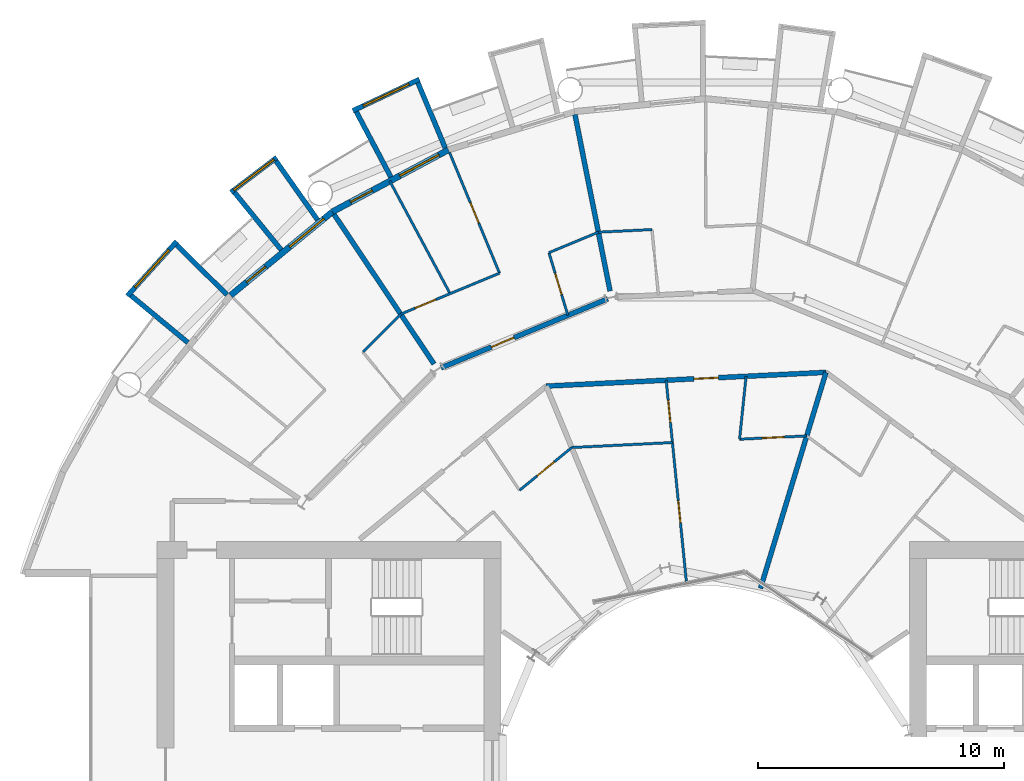
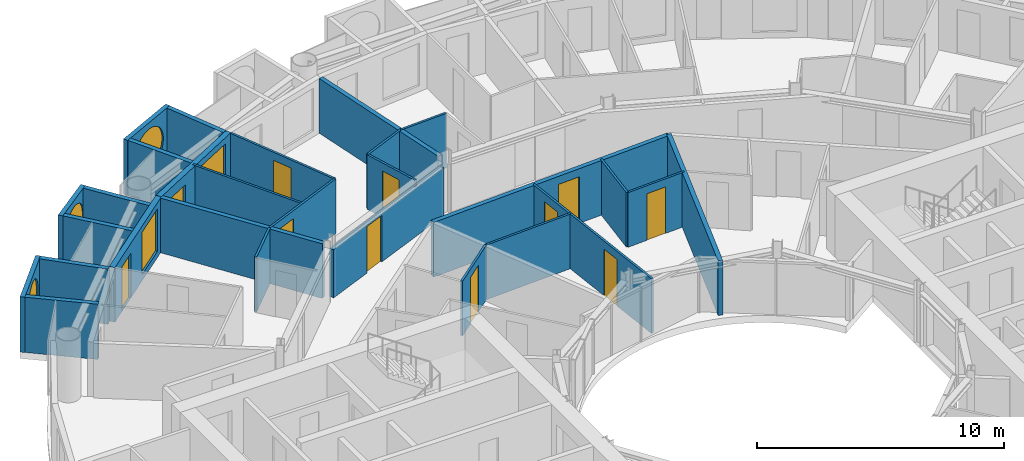
# One storey, part 19 of 26: 28 walls, 11 doors, 5 windows, 16 openings.
"""IFC4 building model written with IfcOpenShell, lengths in metres."""

from ifc_helpers import new_model, si_unit, direction, frame, frame_2d, origin, place, context, subcontext, project, spatial, rectangle, circle, extrude, material, layer, layer_set, type_object, element, fill, save


model = new_model("IFC4")

# Units and contexts
model_context = context("Model", 3, precision=1e-05, world=origin(), true_north=direction((0.0, 1.0)))
body_context = subcontext(model_context, "Body", "Model", "MODEL_VIEW")
ifc_project = project(units=[si_unit("LENGTHUNIT", "METRE"), si_unit("AREAUNIT", "SQUARE_METRE"), si_unit("VOLUMEUNIT", "CUBIC_METRE"), si_unit("PLANEANGLEUNIT", "RADIAN"), si_unit("MASSUNIT", "GRAM", prefix="KILO")], contexts=[model_context])

# Site, building, storey
site_placement = place(None, origin())
site = spatial("IfcSite", under=ifc_project, at=site_placement, CompositionType="ELEMENT")
building_placement = place(site_placement, origin())
building = spatial("IfcBuilding", under=site, at=building_placement, Name="Maasbend Ring Residences", CompositionType="ELEMENT")
storey_placement = place(building_placement, frame((0.0, 0.0, 72.75)))
storey = spatial("IfcBuildingStorey", under=building, at=storey_placement, Name="L20", CompositionType="ELEMENT", Elevation=72.75)

# Wall, opening, door
ifc_material_1 = material(Name="Concrete C30/37", Category="concrete")
ifc_layer_1 = layer(ifc_material_1, 0.199951171875)
ifc_layer_set_1 = layer_set([ifc_layer_1], Name="Concrete C30/37")
wall_type_1 = type_object("IfcWallType", Name="CORRIDOR WALL 200 CONCRETE", PredefinedType="PARTITIONING", material=ifc_layer_set_1)
wall_1_placement = place(storey_placement, frame((-6.468017578125, 15.614013671875, 0.0), z_axis=(0.0, 0.0, 1.0), x_axis=(0.998797695979, 0.049022061427, 0.0)))
wall_1 = element("IfcWall", 1, at=wall_1_placement, inside=storey, type_object=wall_type_1, Name="U-L20-w095", PredefinedType="PARTITIONING", context=body_context, shape_type="SweptSolid", body=[
    extrude(rectangle(XDim=11.384765625, YDim=0.199951171875, at=frame_2d((5.6923828125, 0.0))), origin(), (0.0, 0.0, 1.0), 2.699951171875),
])
opening_1_placement = place(wall_1_placement, frame((6.008056640625, 0.0, 0.0)))
opening_1 = element("IfcOpeningElement", 2, at=opening_1_placement, cuts=wall_1, Name="Opening D-2025", PredefinedType="OPENING", context=body_context, shape_type="SweptSolid", body=[
    extrude(rectangle(XDim=1.0, YDim=2.300048828125, at=frame_2d((0.5, 1.14990234375))), frame((0.0, 0.10986328125, 0.0), z_axis=(0.0, -1.0, 0.0), x_axis=(1.0, 0.0, 0.0)), (0.0, 0.0, 1.0), 0.219970703125),
])
ifc_material_2 = material(Name="Timber, fire-rated, painted", Category="wood")
door_type_1 = type_object("IfcDoorType", Name="FLAT ENTRANCE DOOR 1000 X 2300 FIRE-RATED", OperationType="NOTDEFINED", PredefinedType="DOOR", material=ifc_material_2)
door_1_placement = place(opening_1_placement, origin())
door_1 = element("IfcDoor", 3, at=door_1_placement, inside=storey, type_object=door_type_1, Name="D-2025", OperationType="SINGLE_SWING_RIGHT", OverallHeight=2.300048828125, OverallWidth=1.0, PredefinedType="DOOR", context=body_context, shape_type="SweptSolid", body=[
    extrude(rectangle(XDim=1.0, YDim=2.300048828125, at=frame_2d((0.5, 1.14990234375))), frame((0.0, 0.02490234375, 0.0), z_axis=(0.0, -1.0, 0.0), x_axis=(1.0, 0.0, 0.0)), (0.0, 0.0, 1.0), 0.050048828125),
])
fill(opening_1, door_1)

wall_2_placement = place(storey_placement, frame((-10.7451171875, 16.35693359375, 0.0), z_axis=(0.0, 0.0, 1.0), x_axis=(0.923928411035, 0.382565407848, 0.0)))
wall_2 = element("IfcWall", 4, at=wall_2_placement, inside=storey, type_object=wall_type_1, Name="U-L20-w100", PredefinedType="PARTITIONING", context=body_context, shape_type="SweptSolid", body=[
    extrude(rectangle(XDim=7.335205078125, YDim=0.199951171875, at=frame_2d((3.66748046875, 0.0))), origin(), (0.0, 0.0, 1.0), 2.3798828125),
])
opening_2_placement = place(wall_2_placement, frame((2.2119140625, 0.0, 0.0)))
opening_2 = element("IfcOpeningElement", 5, at=opening_2_placement, cuts=wall_2, Name="Opening D-2013", PredefinedType="OPENING", context=body_context, shape_type="SweptSolid", body=[
    extrude(rectangle(XDim=1.0, YDim=2.300048828125, at=frame_2d((0.5, 1.14990234375))), frame((0.0, 0.10986328125, 0.0), z_axis=(0.0, -1.0, 0.0), x_axis=(1.0, 0.0, 0.0)), (0.0, 0.0, 1.0), 0.219970703125),
])
door_2_placement = place(opening_2_placement, origin())
door_2 = element("IfcDoor", 6, at=door_2_placement, inside=storey, type_object=door_type_1, Name="D-2013", OperationType="SINGLE_SWING_LEFT", OverallHeight=2.300048828125, OverallWidth=1.0, PredefinedType="DOOR", context=body_context, shape_type="SweptSolid", body=[
    extrude(rectangle(XDim=1.0, YDim=2.300048828125, at=frame_2d((0.5, 1.14990234375))), frame((0.0, 0.02490234375, 0.0), z_axis=(0.0, -1.0, 0.0), x_axis=(1.0, 0.0, 0.0)), (0.0, 0.0, 1.0), 0.050048828125),
])
fill(opening_2, door_2)

# Wall, opening, window
ifc_material_3 = material(Name="Pale anodised aluminium panel", Category="aluminium")
ifc_layer_2 = layer(ifc_material_3, 0.199951171875)
ifc_layer_set_2 = layer_set([ifc_layer_2], Name="EW-BOX")
wall_type_2 = type_object("IfcWallType", Name="EW-BOX", PredefinedType="SOLIDWALL", material=ifc_layer_set_2)
wall_3_placement = place(storey_placement, frame((-11.62890625, 28.087890625, -0.030029296875), z_axis=(0.0, 0.0, 1.0), x_axis=(-0.904000060331, -0.427532327342, 0.0)))
wall_3 = element("IfcWall", 7, at=wall_3_placement, inside=storey, type_object=wall_type_2, Name="Box front N15", PredefinedType="SOLIDWALL", context=body_context, shape_type="SweptSolid", body=[
    extrude(rectangle(XDim=2.993408203125, YDim=0.199951171875, at=frame_2d((1.49658203125, 0.0))), origin(), (0.0, 0.0, 1.0), 2.72998046875),
])
opening_3_placement = place(wall_3_placement, frame((0.45654296875, 0.0, 0.330078125)))
opening_3 = element("IfcOpeningElement", 8, at=opening_3_placement, cuts=wall_3, Name="Opening W-RD", PredefinedType="OPENING", context=body_context, shape_type="SweptSolid", body=[
    extrude(circle(Radius=1.0400390625, at=frame_2d((1.0400390625, 1.0400390625))), frame((0.0, 0.10986328125, 0.0), z_axis=(0.0, -1.0, 0.0), x_axis=(1.0, 0.0, 0.0)), (0.0, 0.0, 1.0), 0.219970703125),
])
ifc_material_4 = material(Name="Aluminium and clear glass", Category="aluminium")
window_type_1 = type_object("IfcWindowType", Name="W-RD", PartitioningType="SINGLE_PANEL", PredefinedType="WINDOW", material=ifc_material_4)
window_1_placement = place(opening_3_placement, origin())
window_1 = element("IfcWindow", 9, at=window_1_placement, inside=storey, type_object=window_type_1, Name="Round window N15", OverallHeight=2.080078125, OverallWidth=2.080078125, PartitioningType="SINGLE_PANEL", PredefinedType="WINDOW", context=body_context, shape_type="SweptSolid", body=[
    extrude(circle(Radius=1.0400390625, at=frame_2d((1.0400390625, 1.0400390625))), frame((0.0, 0.030029296875, 0.0), z_axis=(0.0, -1.0, 0.0), x_axis=(1.0, 0.0, 0.0)), (0.0, 0.0, 1.0), 0.06005859375),
])
fill(opening_3, window_1)

# Walls
wall_4_placement = place(storey_placement, frame((-10.574951171875, 25.294921875, -0.030029296875), z_axis=(0.0, 0.0, 1.0), x_axis=(-0.385697364644, 0.922625353492, 0.0)))
element("IfcWall", 10, at=wall_4_placement, inside=storey, type_object=wall_type_2, Name="Box side wall N15 left", PredefinedType="SOLIDWALL", context=body_context, shape_type="SweptSolid", body=[
    extrude(rectangle(XDim=2.88330078125, YDim=0.199951171875, at=frame_2d((1.441650390625, 0.0))), origin(), (0.0, 0.0, 1.0), 2.72998046875),
])
wall_5_placement = place(storey_placement, frame((-12.787109375, 24.113037109375, -0.030029296875), z_axis=(0.0, 0.0, 1.0), x_axis=(-0.468365282436, 0.883534924159, 0.0)))
element("IfcWall", 11, at=wall_5_placement, inside=storey, type_object=wall_type_2, Name="Box side wall N15 right", PredefinedType="SOLIDWALL", context=body_context, shape_type="SweptSolid", body=[
    extrude(rectangle(XDim=3.006103515625, YDim=0.199951171875, at=frame_2d((1.5029296875, 0.0))), origin(), (0.0, 0.0, 1.0), 2.72998046875),
])

# Wall, opening, window
wall_6_placement = place(storey_placement, frame((-17.427001953125, 24.908935546875, -0.030029296875), z_axis=(0.0, 0.0, 1.0), x_axis=(-0.796842165306, -0.60418752353, 0.0)))
wall_6 = element("IfcWall", 12, at=wall_6_placement, inside=storey, type_object=wall_type_2, Name="Box front N17", PredefinedType="SOLIDWALL", context=body_context, shape_type="SweptSolid", body=[
    extrude(rectangle(XDim=2.3369140625, YDim=0.199951171875, at=frame_2d((1.16845703125, 0.0))), origin(), (0.0, 0.0, 1.0), 2.72998046875),
])
opening_4_placement = place(wall_6_placement, frame((0.128173828125, 0.0, 0.330078125)))
opening_4 = element("IfcOpeningElement", 13, at=opening_4_placement, cuts=wall_6, Name="Opening W-RD", PredefinedType="OPENING", context=body_context, shape_type="SweptSolid", body=[
    extrude(circle(Radius=1.0400390625, at=frame_2d((1.0400390625, 1.0400390625))), frame((0.0, 0.10986328125, 0.0), z_axis=(0.0, -1.0, 0.0), x_axis=(1.0, 0.0, 0.0)), (0.0, 0.0, 1.0), 0.219970703125),
])
window_2_placement = place(opening_4_placement, origin())
window_2 = element("IfcWindow", 14, at=window_2_placement, inside=storey, type_object=window_type_1, Name="Round window N17", OverallHeight=2.080078125, OverallWidth=2.080078125, PartitioningType="SINGLE_PANEL", PredefinedType="WINDOW", context=body_context, shape_type="SweptSolid", body=[
    extrude(circle(Radius=1.0400390625, at=frame_2d((1.0400390625, 1.0400390625))), frame((0.0, 0.030029296875, 0.0), z_axis=(0.0, -1.0, 0.0), x_axis=(1.0, 0.0, 0.0)), (0.0, 0.0, 1.0), 0.06005859375),
])
fill(opening_4, window_2)

# Walls
wall_7_placement = place(storey_placement, frame((-15.764892578125, 22.3701171875, -0.030029296875), z_axis=(0.0, 0.0, 1.0), x_axis=(-0.576274612209, 0.817256123454, 0.0)))
element("IfcWall", 15, at=wall_7_placement, inside=storey, type_object=wall_type_2, Name="Box side wall N17 left", PredefinedType="SOLIDWALL", context=body_context, shape_type="SweptSolid", body=[
    extrude(rectangle(XDim=2.932861328125, YDim=0.199951171875, at=frame_2d((1.46630859375, 0.0))), origin(), (0.0, 0.0, 1.0), 2.72998046875),
])
wall_8_placement = place(storey_placement, frame((-17.24609375, 21.155029296875, -0.030029296875), z_axis=(0.0, 0.0, 1.0), x_axis=(-0.631741648902, 0.775179004516, 0.0)))
element("IfcWall", 16, at=wall_8_placement, inside=storey, type_object=wall_type_2, Name="Box side wall N17 right", PredefinedType="SOLIDWALL", context=body_context, shape_type="SweptSolid", body=[
    extrude(rectangle(XDim=3.005859375, YDim=0.199951171875, at=frame_2d((1.5029296875, 0.0))), origin(), (0.0, 0.0, 1.0), 2.72998046875),
])

# Wall, opening, window
wall_9_placement = place(storey_placement, frame((-21.492919921875, 21.5, -0.030029296875), z_axis=(0.0, 0.0, 1.0), x_axis=(-0.671506829416, -0.740998365753, 0.0)))
wall_9 = element("IfcWall", 17, at=wall_9_placement, inside=storey, type_object=wall_type_2, Name="Box front N19", PredefinedType="SOLIDWALL", context=body_context, shape_type="SweptSolid", body=[
    extrude(rectangle(XDim=2.9931640625, YDim=0.199951171875, at=frame_2d((1.49658203125, 0.0))), origin(), (0.0, 0.0, 1.0), 2.72998046875),
])
opening_5_placement = place(wall_9_placement, frame((0.45654296875, 0.0, 0.330078125)))
opening_5 = element("IfcOpeningElement", 18, at=opening_5_placement, cuts=wall_9, Name="Opening W-RD", PredefinedType="OPENING", context=body_context, shape_type="SweptSolid", body=[
    extrude(circle(Radius=1.0400390625, at=frame_2d((1.0400390625, 1.0400390625))), frame((0.0, 0.10986328125, 0.0), z_axis=(0.0, -1.0, 0.0), x_axis=(1.0, 0.0, 0.0)), (0.0, 0.0, 1.0), 0.219970703125),
])
window_3_placement = place(opening_5_placement, origin())
window_3 = element("IfcWindow", 19, at=window_3_placement, inside=storey, type_object=window_type_1, Name="Round window N19", OverallHeight=2.080078125, OverallWidth=2.080078125, PartitioningType="SINGLE_PANEL", PredefinedType="WINDOW", context=body_context, shape_type="SweptSolid", body=[
    extrude(circle(Radius=1.0400390625, at=frame_2d((1.0400390625, 1.0400390625))), frame((0.0, 0.030029296875, 0.0), z_axis=(0.0, -1.0, 0.0), x_axis=(1.0, 0.0, 0.0)), (0.0, 0.0, 1.0), 0.06005859375),
])
fill(opening_5, window_3)

# Walls
wall_10_placement = place(storey_placement, frame((-19.449951171875, 19.322998046875, -0.030029296875), z_axis=(0.0, 0.0, 1.0), x_axis=(-0.709727076896, 0.704476739375, 0.0)))
element("IfcWall", 20, at=wall_10_placement, inside=storey, type_object=wall_type_2, Name="Box side wall N19 left", PredefinedType="SOLIDWALL", context=body_context, shape_type="SweptSolid", body=[
    extrude(rectangle(XDim=2.883056640625, YDim=0.199951171875, at=frame_2d((1.44140625, 0.0))), origin(), (0.0, 0.0, 1.0), 2.72998046875),
])
wall_11_placement = place(storey_placement, frame((-21.041015625, 17.384033203125, -0.030029296875), z_axis=(0.0, 0.0, 1.0), x_axis=(-0.770784861449, 0.63709551667, 0.0)))
element("IfcWall", 21, at=wall_11_placement, inside=storey, type_object=wall_type_2, Name="Box side wall N19 right", PredefinedType="SOLIDWALL", context=body_context, shape_type="SweptSolid", body=[
    extrude(rectangle(XDim=3.005859375, YDim=0.199951171875, at=frame_2d((1.5029296875, 0.0))), origin(), (0.0, 0.0, 1.0), 2.72998046875),
])

# Wall, openings, door, window
ifc_material_5 = material(Name="Aluminium clad insulated panel", Category="aluminium")
ifc_layer_3 = layer(ifc_material_5, 0.25)
ifc_layer_set_3 = layer_set([ifc_layer_3], Name="EW-GL")
wall_type_3 = type_object("IfcWallType", Name="EW-GL", PredefinedType="SOLIDWALL", material=ifc_layer_set_3)
wall_12_placement = place(storey_placement, frame((-10.447021484375, 25.221923828125, 0.0), z_axis=(0.0, 0.0, 1.0), x_axis=(-0.881915646801, -0.471407246368, 0.0)))
wall_12 = element("IfcWall", 22, at=wall_12_placement, inside=storey, type_object=wall_type_3, Name="External wall N08", PredefinedType="SOLIDWALL", context=body_context, shape_type="SweptSolid", body=[
    extrude(rectangle(XDim=5.35205078125, YDim=0.25, at=frame_2d((2.676025390625, 0.0))), origin(), (0.0, 0.0, 1.0), 2.699951171875),
])
opening_6_placement = place(wall_12_placement, frame((0.441162109375, 0.0, 0.300048828125)))
opening_6 = element("IfcOpeningElement", 23, at=opening_6_placement, cuts=wall_12, Name="Opening W-BX", PredefinedType="OPENING", context=body_context, shape_type="SweptSolid", body=[
    extrude(rectangle(XDim=1.800048828125, YDim=2.10009765625, at=frame_2d((0.89990234375, 1.050048828125))), frame((0.0, 0.135009765625, 0.0), z_axis=(0.0, -1.0, 0.0), x_axis=(1.0, 0.0, 0.0)), (0.0, 0.0, 1.0), 0.27001953125),
])
opening_7_placement = place(wall_12_placement, frame((3.510498046875, 0.0, 0.0)))
opening_7 = element("IfcOpeningElement", 24, at=opening_7_placement, cuts=wall_12, Name="Opening D-LG", PredefinedType="OPENING", context=body_context, shape_type="SweptSolid", body=[
    extrude(rectangle(XDim=1.0, YDim=2.199951171875, at=frame_2d((0.5, 1.10009765625))), frame((0.0, 0.135009765625, 0.0), z_axis=(0.0, -1.0, 0.0), x_axis=(1.0, 0.0, 0.0)), (0.0, 0.0, 1.0), 0.27001953125),
])
ifc_material_6 = material(Name="Aluminium and clear glass", Category="aluminium")
door_type_2 = type_object("IfcDoorType", Name="D-LG", OperationType="SINGLE_SWING_LEFT", PredefinedType="DOOR", material=ifc_material_6)
door_3_placement = place(opening_7_placement, origin())
door_3 = element("IfcDoor", 25, at=door_3_placement, inside=storey, type_object=door_type_2, Name="Loggia door N16", OperationType="SINGLE_SWING_LEFT", OverallHeight=2.199951171875, OverallWidth=1.0, PredefinedType="DOOR", context=body_context, shape_type="SweptSolid", body=[
    extrude(rectangle(XDim=1.0, YDim=2.199951171875, at=frame_2d((0.5, 1.10009765625))), frame((0.0, 0.02490234375, 0.0), z_axis=(0.0, -1.0, 0.0), x_axis=(1.0, 0.0, 0.0)), (0.0, 0.0, 1.0), 0.050048828125),
])
fill(opening_7, door_3)
ifc_material_7 = material(Name="Aluminium and clear glass", Category="aluminium")
window_type_2 = type_object("IfcWindowType", Name="W-BX", PartitioningType="DOUBLE_PANEL_VERTICAL", PredefinedType="WINDOW", material=ifc_material_7)
window_4_placement = place(opening_6_placement, origin())
window_4 = element("IfcWindow", 26, at=window_4_placement, inside=storey, type_object=window_type_2, Name="Window N15 room to box", OverallHeight=2.10009765625, OverallWidth=1.800048828125, PartitioningType="SINGLE_PANEL", PredefinedType="WINDOW", context=body_context, shape_type="SweptSolid", body=[
    extrude(rectangle(XDim=1.800048828125, YDim=2.10009765625, at=frame_2d((0.89990234375, 1.050048828125))), frame((0.0, 0.030029296875, 0.0), z_axis=(0.0, -1.0, 0.0), x_axis=(1.0, 0.0, 0.0)), (0.0, 0.0, 1.0), 0.06005859375),
])
fill(opening_6, window_4)

wall_13_placement = place(storey_placement, frame((-15.1669921875, 22.698974609375, 0.0), z_axis=(0.0, 0.0, 1.0), x_axis=(-0.773019449054, -0.634382322723, 0.0)))
wall_13 = element("IfcWall", 27, at=wall_13_placement, inside=storey, type_object=wall_type_3, Name="External wall N09", PredefinedType="SOLIDWALL", context=body_context, shape_type="SweptSolid", body=[
    extrude(rectangle(XDim=5.351806640625, YDim=0.25, at=frame_2d((2.67578125, 0.0))), origin(), (0.0, 0.0, 1.0), 2.699951171875),
])
opening_8_placement = place(wall_13_placement, frame((0.441162109375, 0.0, 0.300048828125)))
opening_8 = element("IfcOpeningElement", 28, at=opening_8_placement, cuts=wall_13, Name="Opening W-BX", PredefinedType="OPENING", context=body_context, shape_type="SweptSolid", body=[
    extrude(rectangle(XDim=1.800048828125, YDim=2.10009765625, at=frame_2d((0.89990234375, 1.050048828125))), frame((0.0, 0.135009765625, 0.0), z_axis=(0.0, -1.0, 0.0), x_axis=(1.0, 0.0, 0.0)), (0.0, 0.0, 1.0), 0.27001953125),
])
opening_9_placement = place(wall_13_placement, frame((3.510498046875, 0.0, 0.0)))
opening_9 = element("IfcOpeningElement", 29, at=opening_9_placement, cuts=wall_13, Name="Opening D-LG", PredefinedType="OPENING", context=body_context, shape_type="SweptSolid", body=[
    extrude(rectangle(XDim=1.0, YDim=2.199951171875, at=frame_2d((0.5, 1.10009765625))), frame((0.0, 0.135009765625, 0.0), z_axis=(0.0, -1.0, 0.0), x_axis=(1.0, 0.0, 0.0)), (0.0, 0.0, 1.0), 0.27001953125),
])
door_4_placement = place(opening_9_placement, origin())
door_4 = element("IfcDoor", 30, at=door_4_placement, inside=storey, type_object=door_type_2, Name="Loggia door N18", OperationType="SINGLE_SWING_LEFT", OverallHeight=2.199951171875, OverallWidth=1.0, PredefinedType="DOOR", context=body_context, shape_type="SweptSolid", body=[
    extrude(rectangle(XDim=1.0, YDim=2.199951171875, at=frame_2d((0.5, 1.10009765625))), frame((0.0, 0.02490234375, 0.0), z_axis=(0.0, -1.0, 0.0), x_axis=(1.0, 0.0, 0.0)), (0.0, 0.0, 1.0), 0.050048828125),
])
fill(opening_9, door_4)
window_5_placement = place(opening_8_placement, origin())
window_5 = element("IfcWindow", 31, at=window_5_placement, inside=storey, type_object=window_type_2, Name="Window N17 room to box", OverallHeight=2.10009765625, OverallWidth=1.800048828125, PartitioningType="SINGLE_PANEL", PredefinedType="WINDOW", context=body_context, shape_type="SweptSolid", body=[
    extrude(rectangle(XDim=1.800048828125, YDim=2.10009765625, at=frame_2d((0.89990234375, 1.050048828125))), frame((0.0, 0.030029296875, 0.0), z_axis=(0.0, -1.0, 0.0), x_axis=(1.0, 0.0, 0.0)), (0.0, 0.0, 1.0), 0.06005859375),
])
fill(opening_8, window_5)

# Wall
ifc_material_8 = material(Name="Gypsum board on steel studs", Category="steel")
ifc_layer_4 = layer(ifc_material_8, 0.10009765625)
ifc_layer_set_4 = layer_set([ifc_layer_4], Name="PARTITION 100 GYPSUM")
wall_type_4 = type_object("IfcWallType", Name="PARTITION 100 GYPSUM", PredefinedType="PARTITIONING", material=ifc_layer_set_4)
wall_14_placement = place(storey_placement, frame((-12.8330078125, 23.9541015625, 0.0), z_axis=(0.0, 0.0, 1.0), x_axis=(0.472148388886, -0.881519085938, 0.0)))
element("IfcWall", 32, at=wall_14_placement, inside=storey, type_object=wall_type_4, Name="U-L20-w039", PredefinedType="PARTITIONING", context=body_context, shape_type="SweptSolid", body=[
    extrude(rectangle(XDim=5.195556640625, YDim=0.10009765625, at=frame_2d((2.59765625, 0.0))), origin(), (0.0, 0.0, 1.0), 2.699951171875),
])

# Wall, opening, door
wall_15_placement = place(storey_placement, frame((-10.39892578125, 25.10595703125, 0.0), z_axis=(0.0, 0.0, 1.0), x_axis=(0.382620183578, -0.92390572848, 0.0)))
wall_15 = element("IfcWall", 33, at=wall_15_placement, inside=storey, type_object=wall_type_4, Name="U-L20-w044", PredefinedType="PARTITIONING", context=body_context, shape_type="SweptSolid", body=[
    extrude(rectangle(XDim=5.302490234375, YDim=0.10009765625, at=frame_2d((2.6513671875, 0.0))), origin(), (0.0, 0.0, 1.0), 2.699951171875),
])
opening_10_placement = place(wall_15_placement, frame((2.200927734375, 0.0, 0.0)))
opening_10 = element("IfcOpeningElement", 34, at=opening_10_placement, cuts=wall_15, Name="Opening D-2015", PredefinedType="OPENING", context=body_context, shape_type="SweptSolid", body=[
    extrude(rectangle(XDim=0.89990234375, YDim=2.300048828125, at=frame_2d((0.449951171875, 1.14990234375))), frame((0.0, 0.06005859375, 0.0), z_axis=(0.0, -1.0, 0.0), x_axis=(1.0, 0.0, 0.0)), (0.0, 0.0, 1.0), 0.1201171875),
])
ifc_material_9 = material(Name="Timber, painted", Category="wood")
door_type_3 = type_object("IfcDoorType", Name="INTERNAL DOOR 900 X 2300", OperationType="NOTDEFINED", PredefinedType="DOOR", material=ifc_material_9)
door_5_placement = place(opening_10_placement, origin())
door_5 = element("IfcDoor", 35, at=door_5_placement, inside=storey, type_object=door_type_3, Name="D-2015", OperationType="SINGLE_SWING_LEFT", OverallHeight=2.300048828125, OverallWidth=0.89990234375, PredefinedType="DOOR", context=body_context, shape_type="SweptSolid", body=[
    extrude(rectangle(XDim=0.89990234375, YDim=2.300048828125, at=frame_2d((0.449951171875, 1.14990234375))), frame((0.0, 0.02490234375, 0.0), z_axis=(0.0, -1.0, 0.0), x_axis=(1.0, 0.0, 0.0)), (0.0, 0.0, 1.0), 0.050048828125),
])
fill(opening_10, door_5)

wall_16_placement = place(storey_placement, frame((-6.360107421875, 21.0390625, 0.0), z_axis=(0.0, 0.0, 1.0), x_axis=(0.289375816213, -0.957215564537, 0.0)))
wall_16 = element("IfcWall", 36, at=wall_16_placement, inside=storey, type_object=wall_type_4, Name="U-L20-w052", PredefinedType="PARTITIONING", context=body_context, shape_type="SweptSolid", body=[
    extrude(rectangle(XDim=2.660888671875, YDim=0.10009765625, at=frame_2d((1.33056640625, 0.0))), origin(), (0.0, 0.0, 1.0), 2.699951171875),
])
opening_11_placement = place(wall_16_placement, frame((0.8798828125, 0.0, 0.0)))
opening_11 = element("IfcOpeningElement", 37, at=opening_11_placement, cuts=wall_16, Name="Opening D-2014", PredefinedType="OPENING", context=body_context, shape_type="SweptSolid", body=[
    extrude(rectangle(XDim=0.89990234375, YDim=2.300048828125, at=frame_2d((0.449951171875, 1.14990234375))), frame((0.0, 0.06005859375, 0.0), z_axis=(0.0, -1.0, 0.0), x_axis=(1.0, 0.0, 0.0)), (0.0, 0.0, 1.0), 0.1201171875),
])
door_6_placement = place(opening_11_placement, origin())
door_6 = element("IfcDoor", 38, at=door_6_placement, inside=storey, type_object=door_type_3, Name="D-2014", OperationType="SINGLE_SWING_LEFT", OverallHeight=2.300048828125, OverallWidth=0.89990234375, PredefinedType="DOOR", context=body_context, shape_type="SweptSolid", body=[
    extrude(rectangle(XDim=0.89990234375, YDim=2.300048828125, at=frame_2d((0.449951171875, 1.14990234375))), frame((0.0, 0.02490234375, 0.0), z_axis=(0.0, -1.0, 0.0), x_axis=(1.0, 0.0, 0.0)), (0.0, 0.0, 1.0), 0.050048828125),
])
fill(opening_11, door_6)

# Wall, openings, doors
wall_17_placement = place(storey_placement, frame((-1.593017578125, 15.85302734375, 0.0), z_axis=(0.0, 0.0, 1.0), x_axis=(0.099730339513, -0.995014502096, 0.0)))
wall_17 = element("IfcWall", 39, at=wall_17_placement, inside=storey, type_object=wall_type_4, Name="U-L20-w058", PredefinedType="PARTITIONING", context=body_context, shape_type="SweptSolid", body=[
    extrude(rectangle(XDim=8.213134765625, YDim=0.10009765625, at=frame_2d((4.1064453125, 0.0))), origin(), (0.0, 0.0, 1.0), 2.699951171875),
])
opening_12_placement = place(wall_17_placement, frame((0.822998046875, 0.0, 0.0)))
opening_12 = element("IfcOpeningElement", 40, at=opening_12_placement, cuts=wall_17, Name="Opening D-2027", PredefinedType="OPENING", context=body_context, shape_type="SweptSolid", body=[
    extrude(rectangle(XDim=0.89990234375, YDim=2.300048828125, at=frame_2d((0.449951171875, 1.14990234375))), frame((0.0, 0.06005859375, 0.0), z_axis=(0.0, -1.0, 0.0), x_axis=(1.0, 0.0, 0.0)), (0.0, 0.0, 1.0), 0.1201171875),
])
opening_13_placement = place(wall_17_placement, frame((4.928955078125, 0.0, 0.0)))
opening_13 = element("IfcOpeningElement", 41, at=opening_13_placement, cuts=wall_17, Name="Opening D-2028", PredefinedType="OPENING", context=body_context, shape_type="SweptSolid", body=[
    extrude(rectangle(XDim=0.89990234375, YDim=2.300048828125, at=frame_2d((0.449951171875, 1.14990234375))), frame((0.0, 0.06005859375, 0.0), z_axis=(0.0, -1.0, 0.0), x_axis=(1.0, 0.0, 0.0)), (0.0, 0.0, 1.0), 0.1201171875),
])
door_7_placement = place(opening_12_placement, origin())
door_7 = element("IfcDoor", 42, at=door_7_placement, inside=storey, type_object=door_type_3, Name="D-2027", OperationType="SINGLE_SWING_LEFT", OverallHeight=2.300048828125, OverallWidth=0.89990234375, PredefinedType="DOOR", context=body_context, shape_type="SweptSolid", body=[
    extrude(rectangle(XDim=0.89990234375, YDim=2.300048828125, at=frame_2d((0.449951171875, 1.14990234375))), frame((0.0, 0.02490234375, 0.0), z_axis=(0.0, -1.0, 0.0), x_axis=(1.0, 0.0, 0.0)), (0.0, 0.0, 1.0), 0.050048828125),
])
fill(opening_12, door_7)
door_8_placement = place(opening_13_placement, origin())
door_8 = element("IfcDoor", 43, at=door_8_placement, inside=storey, type_object=door_type_3, Name="D-2028", OperationType="SINGLE_SWING_RIGHT", OverallHeight=2.300048828125, OverallWidth=0.89990234375, PredefinedType="DOOR", context=body_context, shape_type="SweptSolid", body=[
    extrude(rectangle(XDim=0.89990234375, YDim=2.300048828125, at=frame_2d((0.449951171875, 1.14990234375))), frame((0.0, 0.02490234375, 0.0), z_axis=(0.0, -1.0, 0.0), x_axis=(1.0, 0.0, 0.0)), (0.0, 0.0, 1.0), 0.050048828125),
])
fill(opening_13, door_8)

# Walls
wall_18_placement = place(storey_placement, frame((1.39208984375, 13.4541015625, 0.0), z_axis=(0.0, 0.0, 1.0), x_axis=(0.102594773028, 0.994723234145, 0.0)))
element("IfcWall", 44, at=wall_18_placement, inside=storey, type_object=wall_type_4, Name="U-L20-w062", PredefinedType="PARTITIONING", context=body_context, shape_type="SweptSolid", body=[
    extrude(rectangle(XDim=2.572509765625, YDim=0.10009765625, at=frame_2d((1.2861328125, 0.0))), origin(), (0.0, 0.0, 1.0), 2.699951171875),
])
wall_19_placement = place(storey_placement, frame((-5.43896484375, 13.115966796875, 0.0), z_axis=(0.0, 0.0, 1.0), x_axis=(0.998772010578, 0.049542616872, 0.0)))
element("IfcWall", 45, at=wall_19_placement, inside=storey, type_object=wall_type_4, Name="U-L20-w089", PredefinedType="PARTITIONING", context=body_context, shape_type="SweptSolid", body=[
    extrude(rectangle(XDim=4.10009765625, YDim=0.10009765625, at=frame_2d((2.050048828125, 0.0))), origin(), (0.0, 0.0, 1.0), 2.699951171875),
])

# Wall, opening, door
wall_20_placement = place(storey_placement, frame((1.39208984375, 13.4541015625, 0.0), z_axis=(0.0, 0.0, 1.0), x_axis=(0.998779365748, 0.049394114582, 0.0)))
wall_20 = element("IfcWall", 46, at=wall_20_placement, inside=storey, type_object=wall_type_4, Name="U-L20-w090", PredefinedType="PARTITIONING", context=body_context, shape_type="SweptSolid", body=[
    extrude(rectangle(XDim=2.7333984375, YDim=0.10009765625, at=frame_2d((1.36669921875, 0.0))), origin(), (0.0, 0.0, 1.0), 2.699951171875),
])
opening_14_placement = place(wall_20_placement, frame((0.9169921875, 0.0, 0.0)))
opening_14 = element("IfcOpeningElement", 47, at=opening_14_placement, cuts=wall_20, Name="Opening D-2026", PredefinedType="OPENING", context=body_context, shape_type="SweptSolid", body=[
    extrude(rectangle(XDim=0.89990234375, YDim=2.300048828125, at=frame_2d((0.449951171875, 1.14990234375))), frame((0.0, 0.06005859375, 0.0), z_axis=(0.0, -1.0, 0.0), x_axis=(1.0, 0.0, 0.0)), (0.0, 0.0, 1.0), 0.1201171875),
])
door_9_placement = place(opening_14_placement, origin())
door_9 = element("IfcDoor", 48, at=door_9_placement, inside=storey, type_object=door_type_3, Name="D-2026", OperationType="SINGLE_SWING_RIGHT", OverallHeight=2.300048828125, OverallWidth=0.89990234375, PredefinedType="DOOR", context=body_context, shape_type="SweptSolid", body=[
    extrude(rectangle(XDim=0.89990234375, YDim=2.300048828125, at=frame_2d((0.449951171875, 1.14990234375))), frame((0.0, 0.02490234375, 0.0), z_axis=(0.0, -1.0, 0.0), x_axis=(1.0, 0.0, 0.0)), (0.0, 0.0, 1.0), 0.050048828125),
])
fill(opening_14, door_9)

wall_21_placement = place(storey_placement, frame((-7.552001953125, 11.37890625, 0.0), z_axis=(0.0, 0.0, 1.0), x_axis=(0.773323547924, 0.634011585246, 0.0)))
wall_21 = element("IfcWall", 49, at=wall_21_placement, inside=storey, type_object=wall_type_4, Name="U-L20-w094", PredefinedType="PARTITIONING", context=body_context, shape_type="SweptSolid", body=[
    extrude(rectangle(XDim=2.747802734375, YDim=0.10009765625, at=frame_2d((1.3740234375, 0.0))), origin(), (0.0, 0.0, 1.0), 2.699951171875),
])
opening_15_placement = place(wall_21_placement, frame((0.9169921875, 0.0, 0.0)))
opening_15 = element("IfcOpeningElement", 50, at=opening_15_placement, cuts=wall_21, Name="Opening D-2030", PredefinedType="OPENING", context=body_context, shape_type="SweptSolid", body=[
    extrude(rectangle(XDim=0.89990234375, YDim=2.300048828125, at=frame_2d((0.449951171875, 1.14990234375))), frame((0.0, 0.06005859375, 0.0), z_axis=(0.0, -1.0, 0.0), x_axis=(1.0, 0.0, 0.0)), (0.0, 0.0, 1.0), 0.1201171875),
])
door_10_placement = place(opening_15_placement, origin())
door_10 = element("IfcDoor", 51, at=door_10_placement, inside=storey, type_object=door_type_3, Name="D-2030", OperationType="SINGLE_SWING_LEFT", OverallHeight=2.300048828125, OverallWidth=0.89990234375, PredefinedType="DOOR", context=body_context, shape_type="SweptSolid", body=[
    extrude(rectangle(XDim=0.89990234375, YDim=2.300048828125, at=frame_2d((0.449951171875, 1.14990234375))), frame((0.0, 0.02490234375, 0.0), z_axis=(0.0, -1.0, 0.0), x_axis=(1.0, 0.0, 0.0)), (0.0, 0.0, 1.0), 0.050048828125),
])
fill(opening_15, door_10)

# Wall
wall_22_placement = place(storey_placement, frame((-13.924072265625, 17.006103515625, 0.0), z_axis=(0.0, 0.0, 1.0), x_axis=(0.707387256653, 0.706826194425, 0.0)))
element("IfcWall", 52, at=wall_22_placement, inside=storey, type_object=wall_type_4, Name="U-L20-w108", PredefinedType="PARTITIONING", context=body_context, shape_type="SweptSolid", body=[
    extrude(rectangle(XDim=2.17578125, YDim=0.10009765625, at=frame_2d((1.087890625, 0.0))), origin(), (0.0, 0.0, 1.0), 2.699951171875),
])

# Wall, opening, door
wall_23_placement = place(storey_placement, frame((-12.39697265625, 18.535888671875, 0.0), z_axis=(0.0, 0.0, 1.0), x_axis=(0.923761942059, 0.382967197554, 0.0)))
wall_23 = element("IfcWall", 53, at=wall_23_placement, inside=storey, type_object=wall_type_4, Name="U-L20-w109", PredefinedType="PARTITIONING", context=body_context, shape_type="SweptSolid", body=[
    extrude(rectangle(XDim=4.35595703125, YDim=0.10009765625, at=frame_2d((2.177978515625, 0.0))), origin(), (0.0, 0.0, 1.0), 2.699951171875),
])
opening_16_placement = place(wall_23_placement, frame((0.64599609375, 0.0, 0.0)))
opening_16 = element("IfcOpeningElement", 54, at=opening_16_placement, cuts=wall_23, Name="Opening D-2016", PredefinedType="OPENING", context=body_context, shape_type="SweptSolid", body=[
    extrude(rectangle(XDim=0.89990234375, YDim=2.300048828125, at=frame_2d((0.449951171875, 1.14990234375))), frame((0.0, 0.06005859375, 0.0), z_axis=(0.0, -1.0, 0.0), x_axis=(1.0, 0.0, 0.0)), (0.0, 0.0, 1.0), 0.1201171875),
])
door_11_placement = place(opening_16_placement, origin())
door_11 = element("IfcDoor", 55, at=door_11_placement, inside=storey, type_object=door_type_3, Name="D-2016", OperationType="SINGLE_SWING_LEFT", OverallHeight=2.300048828125, OverallWidth=0.89990234375, PredefinedType="DOOR", context=body_context, shape_type="SweptSolid", body=[
    extrude(rectangle(XDim=0.89990234375, YDim=2.300048828125, at=frame_2d((0.449951171875, 1.14990234375))), frame((0.0, 0.02490234375, 0.0), z_axis=(0.0, -1.0, 0.0), x_axis=(1.0, 0.0, 0.0)), (0.0, 0.0, 1.0), 0.050048828125),
])
fill(opening_16, door_11)

# Walls
wall_24_placement = place(storey_placement, frame((-6.360107421875, 21.0390625, 0.0), z_axis=(0.0, 0.0, 1.0), x_axis=(0.923743082263, 0.383012686436, 0.0)))
element("IfcWall", 56, at=wall_24_placement, inside=storey, type_object=wall_type_4, Name="U-L20-w110", PredefinedType="PARTITIONING", context=body_context, shape_type="SweptSolid", body=[
    extrude(rectangle(XDim=2.1748046875, YDim=0.10009765625, at=frame_2d((1.08740234375, 0.0))), origin(), (0.0, 0.0, 1.0), 2.699951171875),
])
wall_25_placement = place(storey_placement, frame((-4.35107421875, 21.8720703125, 0.0), z_axis=(0.0, 0.0, 1.0), x_axis=(0.998797962079, 0.049016639484, 0.0)))
element("IfcWall", 57, at=wall_25_placement, inside=storey, type_object=wall_type_4, Name="U-L20-w111", PredefinedType="PARTITIONING", context=body_context, shape_type="SweptSolid", body=[
    extrude(rectangle(XDim=2.181640625, YDim=0.10009765625, at=frame_2d((1.0908203125, 0.0))), origin(), (0.0, 0.0, 1.0), 2.699951171875),
])
ifc_material_10 = material(Name="Concrete C30/37", Category="concrete")
ifc_layer_5 = layer(ifc_material_10, 0.199951171875)
ifc_layer_set_5 = layer_set([ifc_layer_5], Name="Concrete C30/37")
wall_type_5 = type_object("IfcWallType", Name="PARTY WALL 200 CONCRETE", PredefinedType="PARTITIONING", material=ifc_layer_set_5)
wall_26_placement = place(storey_placement, frame((-15.096923828125, 22.594970703125, 0.0), z_axis=(0.0, 0.0, 1.0), x_axis=(0.555516661303, -0.831505405283, 0.0)))
element("IfcWall", 58, at=wall_26_placement, inside=storey, type_object=wall_type_5, Name="U-L20-w036", PredefinedType="PARTITIONING", context=body_context, shape_type="SweptSolid", body=[
    extrude(rectangle(XDim=7.31201171875, YDim=0.199951171875, at=frame_2d((3.656005859375, 0.0))), origin(), (0.0, 0.0, 1.0), 2.699951171875),
])
wall_27_placement = place(storey_placement, frame((-5.302001953125, 26.653076171875, 0.0), z_axis=(0.0, 0.0, 1.0), x_axis=(0.195114589291, -0.98078045303, 0.0)))
element("IfcWall", 59, at=wall_27_placement, inside=storey, type_object=wall_type_5, Name="U-L20-w054", PredefinedType="PARTITIONING", context=body_context, shape_type="SweptSolid", body=[
    extrude(rectangle(XDim=7.313720703125, YDim=0.199951171875, at=frame_2d((3.65673828125, 0.0))), origin(), (0.0, 0.0, 1.0), 2.699951171875),
])
wall_28_placement = place(storey_placement, frame((2.240966796875, 7.387939453125, 0.0), z_axis=(0.0, 0.0, 1.0), x_axis=(0.290323311932, 0.956928615179, 0.0)))
element("IfcWall", 60, at=wall_28_placement, inside=storey, type_object=wall_type_5, Name="U-L20-w065", PredefinedType="PARTITIONING", context=body_context, shape_type="SweptSolid", body=[
    extrude(rectangle(XDim=9.179443359375, YDim=0.199951171875, at=frame_2d((4.58984375, 0.0))), origin(), (0.0, 0.0, 1.0), 2.699951171875),
])

save(model, "model.ifc")
